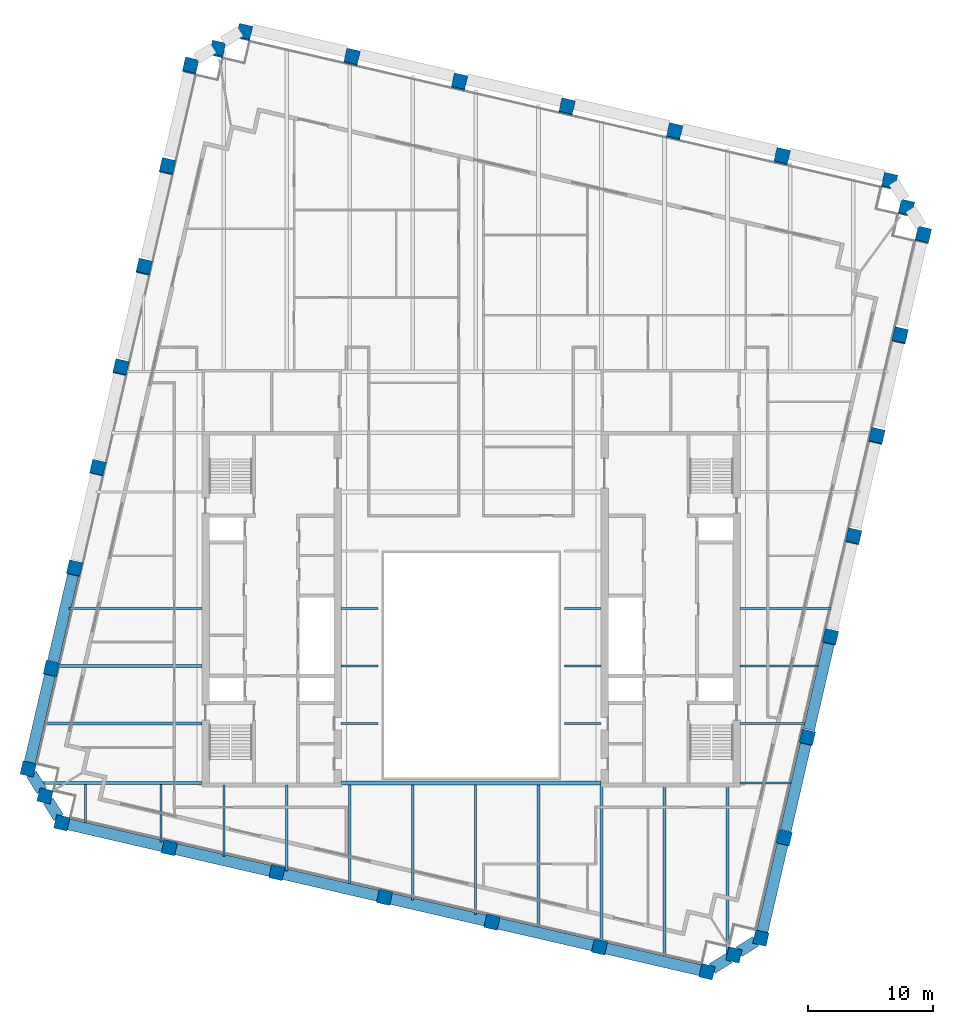
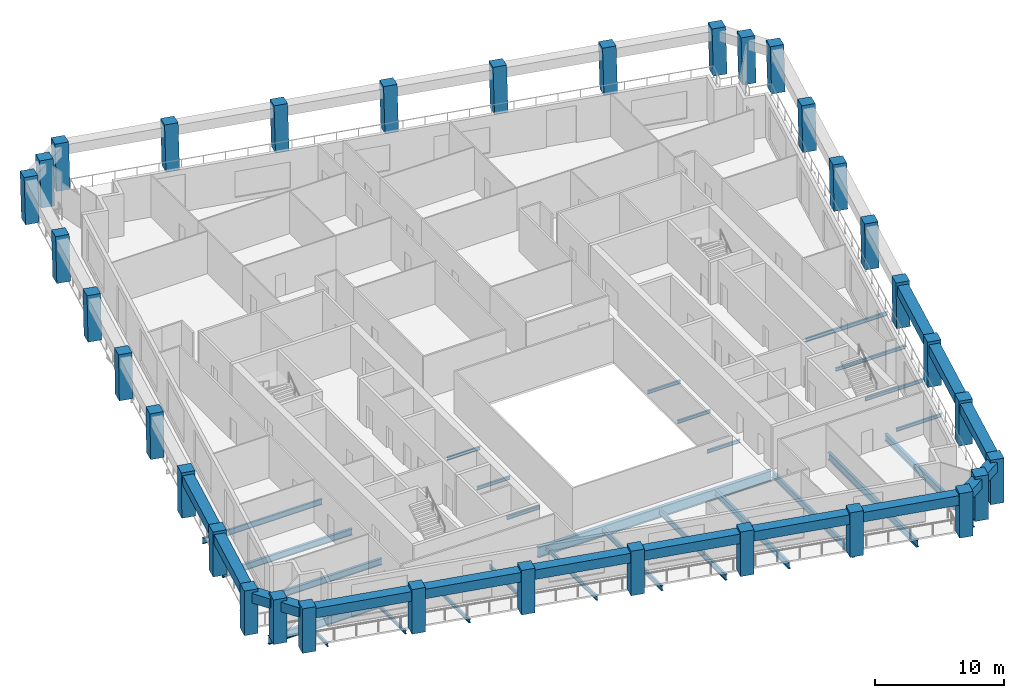
# One storey, part 1 of 10: 41 beams, 34 columns.
"""IFC4 building model written with IfcOpenShell, lengths in metres."""

from ifc_helpers import new_model, si_unit, direction, frame, origin, origin_2d, place, context, subcontext, project, spatial, rectangle, i_section, extrude, material, material_profile, profile_set, type_object, element, save


model = new_model("IFC4")

# Units and contexts
model_context = context("Model", 3, precision=1e-05, world=origin(), true_north=direction((0.0, 1.0)))
body_context = subcontext(model_context, "Body", "Model", "MODEL_VIEW")
ifc_project = project(units=[si_unit("LENGTHUNIT", "METRE"), si_unit("AREAUNIT", "SQUARE_METRE"), si_unit("VOLUMEUNIT", "CUBIC_METRE"), si_unit("PLANEANGLEUNIT", "RADIAN"), si_unit("MASSUNIT", "GRAM", prefix="KILO")], contexts=[model_context])

# Site, building, storey
site_placement = place(None, origin())
site = spatial("IfcSite", under=ifc_project, at=site_placement, CompositionType="ELEMENT")
building_placement = place(site_placement, origin())
building = spatial("IfcBuilding", under=site, at=building_placement, Name="Ogive Exchange Tower", CompositionType="ELEMENT")
storey_placement = place(building_placement, frame((0.0, 0.0, 272.39990234375)))
storey = spatial("IfcBuildingStorey", under=building, at=storey_placement, Name="L59", CompositionType="ELEMENT", Elevation=272.39990234375)

# Columns
ifc_material_1 = material(Name="Precast concrete C70/85 (limestone faced)", Category="masonry")
ifc_material_profile_1 = material_profile(ifc_material_1, rectangle(XDim=1.10009765625, YDim=1.10009765625, at=origin_2d()), Name="1100 x 1100")
ifc_profile_set_1 = profile_set([ifc_material_profile_1], Name="Precast concrete C70/85 (limestone faced)")
column_type = type_object("IfcColumnType", Name="Precast exoskeleton leg 1100 x 1100 C70/85", PredefinedType="COLUMN", material=ifc_profile_set_1)
for number, where, z_axis, x_axis, name in (
    (1, (-32.820556640625, -5.635498046875, 0.0), (0.0, 0.0, 1.0), (0.974370064785, -0.224951054344, 0.0), "Exoskeleton leg 1"),
    (2, (-24.197265625, -7.62646484375, 0.0), (0.0, 0.0, 1.0), (0.974370064785, -0.224951054344, 0.0), "Exoskeleton leg 2"),
    (3, (-15.57421875, -9.6171875, 0.0), (0.0, 0.0, 1.0), (0.974370064785, -0.224951054344, 0.0), "Exoskeleton leg 3"),
    (4, (-6.950927734375, -11.60791015625, 0.0), (0.0, 0.0, 1.0), (0.974370064785, -0.224951054344, 0.0), "Exoskeleton leg 4"),
    (5, (1.672119140625, -13.598876953125, 0.0), (0.0, 0.0, 1.0), (0.974370064785, -0.224951054344, 0.0), "Exoskeleton leg 5"),
    (6, (10.29541015625, -15.589599609375, 0.0), (0.0, 0.0, 1.0), (0.974370064785, -0.224951054344, 0.0), "Exoskeleton leg 6"),
    (7, (18.91845703125, -17.58056640625, 0.0), (0.0, 0.0, 1.0), (0.974370064785, -0.224951054344, 0.0), "Exoskeleton leg 7"),
    (8, (23.236083984375, -14.882568359375, 0.0), (0.0, 0.0, 1.0), (0.974370064785, -0.224951054344, 0.0), "Exoskeleton leg 8"),
):
    element("IfcColumn", number, at=place(storey_placement, frame(where, z_axis=z_axis, x_axis=x_axis)), inside=storey, type_object=column_type, Name=name, PredefinedType="COLUMN", context=body_context, shape_type="SweptSolid", body=[
        extrude(rectangle(XDim=1.10009765625, YDim=1.10009765625, at=origin_2d()), origin(), (0.0, 0.0, 1.0), 4.2001953125),
    ])
column_1_placement = place(storey_placement, frame((25.093994140625, -6.83447265625, 0.0), z_axis=(0.002964178068, 0.012612287075, 0.999916068409), x_axis=(-0.97347596985, 0.228789283237, 0.0)))
element("IfcColumn", 9, at=column_1_placement, inside=storey, type_object=column_type, Name="Exoskeleton leg 9", PredefinedType="COLUMN", context=body_context, shape_type="SweptSolid", body=[
    extrude(rectangle(XDim=1.10009765625, YDim=1.10009765625, at=origin_2d()), origin(), (0.0, 0.0, 1.0), 4.200439453125),
])
column_2_placement = place(storey_placement, frame((26.9521484375, 1.21337890625, 0.0), z_axis=(0.005868742296, 0.025334372683, 0.999661806525), x_axis=(-0.974202561131, 0.225675363932, 0.0)))
element("IfcColumn", 10, at=column_2_placement, inside=storey, type_object=column_type, Name="Exoskeleton leg 10", PredefinedType="COLUMN", context=body_context, shape_type="SweptSolid", body=[
    extrude(rectangle(XDim=1.10009765625, YDim=1.10009765625, at=origin_2d()), origin(), (0.0, 0.0, 1.0), 4.20166015625),
])
column_3_placement = place(storey_placement, frame((28.810302734375, 9.26171875, 0.0), z_axis=(0.008712317294, 0.037869539172, 0.999244711535), x_axis=(-0.974542124643, 0.224204476528, 0.0)))
element("IfcColumn", 11, at=column_3_placement, inside=storey, type_object=column_type, Name="Exoskeleton leg 11", PredefinedType="COLUMN", context=body_context, shape_type="SweptSolid", body=[
    extrude(rectangle(XDim=1.10009765625, YDim=1.10009765625, at=origin_2d()), origin(), (0.0, 0.0, 1.0), 4.203369140625),
])
column_4_placement = place(storey_placement, frame((30.668212890625, 17.3095703125, 0.0), z_axis=(0.011667590749, 0.050559559912, 0.998652891764), x_axis=(-0.974391195695, 0.224859506699, 0.0)))
element("IfcColumn", 12, at=column_4_placement, inside=storey, type_object=column_type, Name="Exoskeleton leg 12", PredefinedType="COLUMN", context=body_context, shape_type="SweptSolid", body=[
    extrude(rectangle(XDim=1.10009765625, YDim=1.10009765625, at=origin_2d()), origin(), (0.0, 0.0, 1.0), 4.205810546875),
])
column_5_placement = place(storey_placement, frame((32.5263671875, 25.357666015625, 0.0), z_axis=(0.014558999143, 0.063108330945, 0.997900483069), x_axis=(-0.97440628778, 0.224794097641, 0.0)))
element("IfcColumn", 13, at=column_5_placement, inside=storey, type_object=column_type, Name="Exoskeleton leg 13", PredefinedType="COLUMN", context=body_context, shape_type="SweptSolid", body=[
    extrude(rectangle(XDim=1.10009765625, YDim=1.10009765625, at=origin_2d()), origin(), (0.0, 0.0, 1.0), 4.208984375),
])
column_6_placement = place(storey_placement, frame((34.38427734375, 33.40576171875, 0.0), z_axis=(0.017501014434, 0.075683194872, 0.996978318976), x_axis=(-0.974290512438, 0.225295355862, 0.0)))
element("IfcColumn", 14, at=column_6_placement, inside=storey, type_object=column_type, Name="Exoskeleton leg 14", PredefinedType="COLUMN", context=body_context, shape_type="SweptSolid", body=[
    extrude(rectangle(XDim=1.10009765625, YDim=1.10009765625, at=origin_2d()), origin(), (0.0, 0.0, 1.0), 4.212890625),
])
for number, where, z_axis, x_axis, name in (
    (15, (36.242431640625, 41.45361328125, 0.0), (0.020318455144, 0.088220300968, 0.995893738748), (-0.974488096918, 0.224439187676, 0.0), "Exoskeleton leg 15"),
    (16, (33.54443359375, 45.771240234375, 0.0), (0.02037631848, 0.088220197057, 0.99589256573), (-0.97434807649, 0.225046274885, 0.0), "Exoskeleton leg 16"),
    (17, (24.92138671875, 47.76220703125, 0.0), (0.020318558874, 0.088162863718, 0.995898822987), (-0.97445585692, 0.224579123952, 0.0), "Exoskeleton leg 17"),
    (18, (16.298095703125, 49.7529296875, 0.0), (0.02037631848, 0.088220197057, 0.99589256573), (-0.97434807649, 0.225046274885, 0.0), "Exoskeleton leg 18"),
    (19, (7.6748046875, 51.74365234375, 0.0), (0.02037631848, 0.088220197057, 0.99589256573), (-0.97434807649, 0.225046274885, 0.0), "Exoskeleton leg 19"),
    (20, (-0.9482421875, 53.734619140625, 0.0), (0.02037631848, 0.088220197057, 0.99589256573), (-0.97434807649, 0.225046274885, 0.0), "Exoskeleton leg 20"),
    (21, (-9.5712890625, 55.725341796875, 0.0), (0.020318455144, 0.088220300968, 0.995893738748), (-0.974488096918, 0.224439187676, 0.0), "Exoskeleton leg 21"),
    (22, (-18.194580078125, 57.71630859375, 0.0), (0.020376422505, 0.088162759874, 0.995897649951), (-0.97431566651, 0.225186549318, 0.0), "Exoskeleton leg 22"),
    (23, (-22.51220703125, 55.018310546875, 0.0), (0.02037631848, 0.088220197057, 0.99589256573), (-0.97434807649, 0.225046274885, 0.0), "Exoskeleton leg 23"),
):
    element("IfcColumn", number, at=place(storey_placement, frame(where, z_axis=z_axis, x_axis=x_axis)), inside=storey, type_object=column_type, Name=name, PredefinedType="COLUMN", context=body_context, shape_type="SweptSolid", body=[
        extrude(rectangle(XDim=1.10009765625, YDim=1.10009765625, at=origin_2d()), origin(), (0.0, 0.0, 1.0), 4.217529296875),
    ])
column_7_placement = place(storey_placement, frame((-24.3701171875, 46.97021484375, 0.0), z_axis=(0.017443081717, 0.075683271502, 0.996979328429), x_axis=(-0.974454034257, 0.224587032398, 0.0)))
element("IfcColumn", 24, at=column_7_placement, inside=storey, type_object=column_type, Name="Exoskeleton leg 24", PredefinedType="COLUMN", context=body_context, shape_type="SweptSolid", body=[
    extrude(rectangle(XDim=1.10009765625, YDim=1.10009765625, at=origin_2d()), origin(), (0.0, 0.0, 1.0), 4.212890625),
])
column_8_placement = place(storey_placement, frame((-26.228271484375, 38.922119140625, 0.0), z_axis=(0.014558945825, 0.063166103598, 0.997896828561), x_axis=(-0.97445148511, 0.224598092528, 0.0)))
element("IfcColumn", 25, at=column_8_placement, inside=storey, type_object=column_type, Name="Exoskeleton leg 25", PredefinedType="COLUMN", context=body_context, shape_type="SweptSolid", body=[
    extrude(rectangle(XDim=1.10009765625, YDim=1.10009765625, at=origin_2d()), origin(), (0.0, 0.0, 1.0), 4.208984375),
])
column_9_placement = place(storey_placement, frame((-28.086181640625, 30.8740234375, 0.0), z_axis=(0.011667590749, 0.050559559912, 0.998652891764), x_axis=(-0.974391195695, 0.224859506699, 0.0)))
element("IfcColumn", 26, at=column_9_placement, inside=storey, type_object=column_type, Name="Exoskeleton leg 26", PredefinedType="COLUMN", context=body_context, shape_type="SweptSolid", body=[
    extrude(rectangle(XDim=1.10009765625, YDim=1.10009765625, at=origin_2d()), origin(), (0.0, 0.0, 1.0), 4.205810546875),
])
column_10_placement = place(storey_placement, frame((-29.9443359375, 22.826171875, 0.0), z_axis=(0.008770375651, 0.037927518544, 0.999242004646), x_axis=(-0.974290512438, 0.225295355862, 0.0)))
element("IfcColumn", 27, at=column_10_placement, inside=storey, type_object=column_type, Name="Exoskeleton leg 27", PredefinedType="COLUMN", context=body_context, shape_type="SweptSolid", body=[
    extrude(rectangle(XDim=1.10009765625, YDim=1.10009765625, at=origin_2d()), origin(), (0.0, 0.0, 1.0), 4.203369140625),
])
column_11_placement = place(storey_placement, frame((-31.80224609375, 14.778076171875, 0.0), z_axis=(0.005810637908, 0.02533438128, 0.999662145733), x_axis=(-0.974691740237, 0.22355315143, 0.0)))
element("IfcColumn", 28, at=column_11_placement, inside=storey, type_object=column_type, Name="Exoskeleton leg 28", PredefinedType="COLUMN", context=body_context, shape_type="SweptSolid", body=[
    extrude(rectangle(XDim=1.10009765625, YDim=1.10009765625, at=origin_2d()), origin(), (0.0, 0.0, 1.0), 4.20166015625),
])
column_12_placement = place(storey_placement, frame((-33.660400390625, 6.72998046875, 0.0), z_axis=(0.00290605529, 0.012670401066, 0.99991550432), x_axis=(-0.974691740237, 0.22355315143, 0.0)))
element("IfcColumn", 29, at=column_12_placement, inside=storey, type_object=column_type, Name="Exoskeleton leg 29", PredefinedType="COLUMN", context=body_context, shape_type="SweptSolid", body=[
    extrude(rectangle(XDim=1.10009765625, YDim=1.10009765625, at=origin_2d()), origin(), (0.0, 0.0, 1.0), 4.200439453125),
])
for number, where, z_axis, x_axis, name in (
    (30, (-35.518310546875, -1.318115234375, 0.0), (0.0, 0.0, 1.0), (0.974370064785, -0.224951054344, 0.0), "Exoskeleton leg 30"),
    (31, (21.077392578125, -16.2314453125, 0.0), (0.0, 0.0, 1.0), (0.974370064785, -0.224951054344, 0.0), "Exoskeleton leg 31"),
):
    element("IfcColumn", number, at=place(storey_placement, frame(where, z_axis=z_axis, x_axis=x_axis)), inside=storey, type_object=column_type, Name=name, PredefinedType="COLUMN", context=body_context, shape_type="SweptSolid", body=[
        extrude(rectangle(XDim=1.10009765625, YDim=1.10009765625, at=origin_2d()), origin(), (0.0, 0.0, 1.0), 4.2001953125),
    ])
for number, where, z_axis, x_axis, name in (
    (32, (34.893310546875, 43.612548828125, 0.0), (0.02037631848, 0.088220197057, 0.99589256573), (-0.97434807649, 0.225046274885, 0.0), "Exoskeleton leg 32"),
    (33, (-20.353515625, 56.3671875, 0.0), (0.02037631848, 0.088220197057, 0.99589256573), (-0.97434807649, 0.225046274885, 0.0), "Exoskeleton leg 33"),
):
    element("IfcColumn", number, at=place(storey_placement, frame(where, z_axis=z_axis, x_axis=x_axis)), inside=storey, type_object=column_type, Name=name, PredefinedType="COLUMN", context=body_context, shape_type="SweptSolid", body=[
        extrude(rectangle(XDim=1.10009765625, YDim=1.10009765625, at=origin_2d()), origin(), (0.0, 0.0, 1.0), 4.217529296875),
    ])
column_13_placement = place(storey_placement, frame((-34.16943359375, -3.476806640625, 0.0), z_axis=(0.0, 0.0, 1.0), x_axis=(0.974370064785, -0.224951054344, 0.0)))
element("IfcColumn", 34, at=column_13_placement, inside=storey, type_object=column_type, Name="Exoskeleton leg 34", PredefinedType="COLUMN", context=body_context, shape_type="SweptSolid", body=[
    extrude(rectangle(XDim=1.10009765625, YDim=1.10009765625, at=origin_2d()), origin(), (0.0, 0.0, 1.0), 4.2001953125),
])

# Beams
ifc_material_2 = material(Name="Steel ASTM A992 Gr50", Category="steel")
ifc_material_profile_2 = material_profile(ifc_material_2, i_section(OverallWidth=0.1650390625, OverallDepth=0.31005859375, WebThickness=0.005859375, FlangeThickness=0.009765625, at=origin_2d()), Name="W310x38.7")
ifc_profile_set_2 = profile_set([ifc_material_profile_2], Name="Steel ASTM A992 Gr50")
beam_type_1 = type_object("IfcBeamType", Name="Floor beam W310x38.7", PredefinedType="JOIST", material=ifc_profile_set_2)
for number, where, z_axis, x_axis, name in (
    (35, (-10.419921875, 2.3212890625, -0.35498046875), (1.0, 0.0, 0.0), (0.0, 1.0, 0.0), "Floor beam"),
    (36, (7.469970703125, 2.3212890625, -0.35498046875), (1.0, 0.0, 0.0), (0.0, 1.0, 0.0), "Floor beam"),
):
    element("IfcBeam", number, at=place(storey_placement, frame(where, z_axis=z_axis, x_axis=x_axis)), inside=storey, type_object=beam_type_1, Name=name, PredefinedType="JOIST", context=body_context, shape_type="SweptSolid", body=[
        extrude(i_section(OverallWidth=0.1650390625, OverallDepth=0.31005859375, WebThickness=0.005859375, FlangeThickness=0.009765625, at=origin_2d()), origin(), (0.0, 0.0, 1.0), 2.949951171875),
    ])
beam_1_placement = place(storey_placement, frame((21.580078125, 2.3212890625, -0.35498046875), z_axis=(1.0, 0.0, 0.0), x_axis=(0.0, 1.0, 0.0)))
element("IfcBeam", 37, at=beam_1_placement, inside=storey, type_object=beam_type_1, Name="Floor beam", PredefinedType="JOIST", context=body_context, shape_type="SweptSolid", body=[
    extrude(i_section(OverallWidth=0.1650390625, OverallDepth=0.31005859375, WebThickness=0.005859375, FlangeThickness=0.009765625, at=origin_2d()), origin(), (0.0, 0.0, 1.0), 5.166015625),
])
for number, where, z_axis, x_axis, name in (
    (38, (-10.419921875, 6.9326171875, -0.35498046875), (1.0, 0.0, 0.0), (0.0, 1.0, 0.0), "Floor beam"),
    (39, (7.469970703125, 6.9326171875, -0.35498046875), (1.0, 0.0, 0.0), (0.0, 1.0, 0.0), "Floor beam"),
):
    element("IfcBeam", number, at=place(storey_placement, frame(where, z_axis=z_axis, x_axis=x_axis)), inside=storey, type_object=beam_type_1, Name=name, PredefinedType="JOIST", context=body_context, shape_type="SweptSolid", body=[
        extrude(i_section(OverallWidth=0.1650390625, OverallDepth=0.31005859375, WebThickness=0.005859375, FlangeThickness=0.009765625, at=origin_2d()), origin(), (0.0, 0.0, 1.0), 2.949951171875),
    ])
beam_2_placement = place(storey_placement, frame((21.580078125, 6.9326171875, -0.35498046875), z_axis=(1.0, 0.0, 0.0), x_axis=(0.0, 1.0, 0.0)))
element("IfcBeam", 40, at=beam_2_placement, inside=storey, type_object=beam_type_1, Name="Floor beam", PredefinedType="JOIST", context=body_context, shape_type="SweptSolid", body=[
    extrude(i_section(OverallWidth=0.1650390625, OverallDepth=0.31005859375, WebThickness=0.005859375, FlangeThickness=0.009765625, at=origin_2d()), origin(), (0.0, 0.0, 1.0), 6.230712890625),
])
for number, where, z_axis, x_axis, name in (
    (41, (-10.419921875, 11.543701171875, -0.35498046875), (1.0, 0.0, 0.0), (0.0, 1.0, 0.0), "Floor beam"),
    (42, (7.469970703125, 11.543701171875, -0.35498046875), (1.0, 0.0, 0.0), (0.0, 1.0, 0.0), "Floor beam"),
):
    element("IfcBeam", number, at=place(storey_placement, frame(where, z_axis=z_axis, x_axis=x_axis)), inside=storey, type_object=beam_type_1, Name=name, PredefinedType="JOIST", context=body_context, shape_type="SweptSolid", body=[
        extrude(i_section(OverallWidth=0.1650390625, OverallDepth=0.31005859375, WebThickness=0.005859375, FlangeThickness=0.009765625, at=origin_2d()), origin(), (0.0, 0.0, 1.0), 2.949951171875),
    ])
beam_3_placement = place(storey_placement, frame((-30.93017578125, -5.610107421875, -0.35498046875), z_axis=(0.0, 1.0, 0.0), x_axis=(-1.0, 0.0, 0.0)))
element("IfcBeam", 43, at=beam_3_placement, inside=storey, type_object=beam_type_1, Name="Floor beam", PredefinedType="JOIST", context=body_context, shape_type="SweptSolid", body=[
    extrude(i_section(OverallWidth=0.1650390625, OverallDepth=0.31005859375, WebThickness=0.005859375, FlangeThickness=0.009765625, at=origin_2d()), origin(), (0.0, 0.0, 1.0), 3.031494140625),
])
beam_4_placement = place(storey_placement, frame((-24.88134765625, -7.156494140625, -0.35498046875), z_axis=(0.0, 1.0, 0.0), x_axis=(-1.0, 0.0, 0.0)))
element("IfcBeam", 44, at=beam_4_placement, inside=storey, type_object=beam_type_1, Name="Floor beam", PredefinedType="JOIST", context=body_context, shape_type="SweptSolid", body=[
    extrude(i_section(OverallWidth=0.1650390625, OverallDepth=0.31005859375, WebThickness=0.005859375, FlangeThickness=0.009765625, at=origin_2d()), origin(), (0.0, 0.0, 1.0), 4.577880859375),
])
beam_5_placement = place(storey_placement, frame((-19.832763671875, -8.322265625, -0.35498046875), z_axis=(0.0, 1.0, 0.0), x_axis=(-1.0, 0.0, 0.0)))
element("IfcBeam", 45, at=beam_5_placement, inside=storey, type_object=beam_type_1, Name="Floor beam", PredefinedType="JOIST", context=body_context, shape_type="SweptSolid", body=[
    extrude(i_section(OverallWidth=0.1650390625, OverallDepth=0.31005859375, WebThickness=0.005859375, FlangeThickness=0.009765625, at=origin_2d()), origin(), (0.0, 0.0, 1.0), 5.72216796875),
])
ifc_material_profile_3 = material_profile(ifc_material_2, i_section(OverallWidth=0.1708984375, OverallDepth=0.35595703125, WebThickness=0.00732421875, FlangeThickness=0.01171875, at=origin_2d()), Name="W360x51")
ifc_profile_set_3 = profile_set([ifc_material_profile_3], Name="Steel ASTM A992 Gr50")
beam_type_2 = type_object("IfcBeamType", Name="Floor beam W360x51", PredefinedType="JOIST", material=ifc_profile_set_3)
beam_6_placement = place(storey_placement, frame((21.580078125, 11.543701171875, -0.3779296875), z_axis=(1.0, 0.0, 0.0), x_axis=(0.0, 1.0, 0.0)))
element("IfcBeam", 46, at=beam_6_placement, inside=storey, type_object=beam_type_2, Name="Floor beam", PredefinedType="JOIST", context=body_context, shape_type="SweptSolid", body=[
    extrude(i_section(OverallWidth=0.1708984375, OverallDepth=0.35595703125, WebThickness=0.00732421875, FlangeThickness=0.01171875, at=origin_2d()), origin(), (0.0, 0.0, 1.0), 7.295166015625),
])
beam_7_placement = place(storey_placement, frame((-14.783935546875, -9.48779296875, -0.3779296875), z_axis=(0.0, 1.0, 0.0), x_axis=(-1.0, 0.0, 0.0)))
element("IfcBeam", 47, at=beam_7_placement, inside=storey, type_object=beam_type_2, Name="Floor beam", PredefinedType="JOIST", context=body_context, shape_type="SweptSolid", body=[
    extrude(i_section(OverallWidth=0.1708984375, OverallDepth=0.35595703125, WebThickness=0.00732421875, FlangeThickness=0.01171875, at=origin_2d()), origin(), (0.0, 0.0, 1.0), 6.8876953125),
])
ifc_material_profile_4 = material_profile(ifc_material_2, i_section(OverallWidth=0.177978515625, OverallDepth=0.406005859375, WebThickness=0.0078125, FlangeThickness=0.0126953125, at=origin_2d()), Name="W410x60")
ifc_profile_set_4 = profile_set([ifc_material_profile_4], Name="Steel ASTM A992 Gr50")
beam_type_3 = type_object("IfcBeamType", Name="Floor beam W410x60", PredefinedType="JOIST", material=ifc_profile_set_4)
beam_8_placement = place(storey_placement, frame((-9.7353515625, -10.50341796875, -0.40283203125), z_axis=(0.0, 1.0, 0.0), x_axis=(-1.0, 0.0, 0.0)))
element("IfcBeam", 48, at=beam_8_placement, inside=storey, type_object=beam_type_3, Name="Floor beam", PredefinedType="JOIST", context=body_context, shape_type="SweptSolid", body=[
    extrude(i_section(OverallWidth=0.177978515625, OverallDepth=0.406005859375, WebThickness=0.0078125, FlangeThickness=0.0126953125, at=origin_2d()), origin(), (0.0, 0.0, 1.0), 7.908447265625),
])
ifc_material_profile_5 = material_profile(ifc_material_2, i_section(OverallWidth=0.19091796875, OverallDepth=0.45703125, WebThickness=0.009033203125, FlangeThickness=0.014404296875, at=origin_2d()), Name="W460x74")
ifc_profile_set_5 = profile_set([ifc_material_profile_5], Name="Steel ASTM A992 Gr50")
beam_type_4 = type_object("IfcBeamType", Name="Floor beam W460x74", PredefinedType="JOIST", material=ifc_profile_set_5)
beam_9_placement = place(storey_placement, frame((-4.686767578125, -11.819091796875, -0.428466796875), z_axis=(0.0, 1.0, 0.0), x_axis=(-1.0, 0.0, 0.0)))
element("IfcBeam", 49, at=beam_9_placement, inside=storey, type_object=beam_type_4, Name="Floor beam", PredefinedType="JOIST", context=body_context, shape_type="SweptSolid", body=[
    extrude(i_section(OverallWidth=0.19091796875, OverallDepth=0.45703125, WebThickness=0.009033203125, FlangeThickness=0.014404296875, at=origin_2d()), origin(), (0.0, 0.0, 1.0), 9.22412109375),
])
ifc_material_profile_6 = material_profile(ifc_material_2, i_section(OverallWidth=0.1669921875, OverallDepth=0.535888671875, WebThickness=0.01025390625, FlangeThickness=0.0166015625, at=origin_2d()), Name="W530x85")
ifc_profile_set_6 = profile_set([ifc_material_profile_6], Name="Steel ASTM A992 Gr50")
beam_type_5 = type_object("IfcBeamType", Name="Floor beam W530x85", PredefinedType="JOIST", material=ifc_profile_set_6)
beam_10_placement = place(storey_placement, frame((-32.2373046875, 11.543701171875, -0.468017578125), z_axis=(1.0, 0.0, 0.0), x_axis=(0.0, 1.0, 0.0)))
element("IfcBeam", 50, at=beam_10_placement, inside=storey, type_object=beam_type_5, Name="Floor beam", PredefinedType="JOIST", context=body_context, shape_type="SweptSolid", body=[
    extrude(i_section(OverallWidth=0.1669921875, OverallDepth=0.535888671875, WebThickness=0.01025390625, FlangeThickness=0.0166015625, at=origin_2d()), origin(), (0.0, 0.0, 1.0), 10.6572265625),
])
beam_11_placement = place(storey_placement, frame((0.362060546875, -12.984619140625, -0.468017578125), z_axis=(0.0, 1.0, 0.0), x_axis=(-1.0, 0.0, 0.0)))
element("IfcBeam", 51, at=beam_11_placement, inside=storey, type_object=beam_type_5, Name="Floor beam", PredefinedType="JOIST", context=body_context, shape_type="SweptSolid", body=[
    extrude(i_section(OverallWidth=0.1669921875, OverallDepth=0.535888671875, WebThickness=0.01025390625, FlangeThickness=0.0166015625, at=origin_2d()), origin(), (0.0, 0.0, 1.0), 10.3896484375),
])
ifc_material_profile_7 = material_profile(ifc_material_2, i_section(OverallWidth=0.22802734375, OverallDepth=0.60205078125, WebThickness=0.010498046875, FlangeThickness=0.014892578125, at=origin_2d()), Name="W610x101")
ifc_profile_set_7 = profile_set([ifc_material_profile_7], Name="Steel ASTM A992 Gr50")
beam_type_6 = type_object("IfcBeamType", Name="Floor beam W610x101", PredefinedType="JOIST", material=ifc_profile_set_7)
beam_12_placement = place(storey_placement, frame((-34.21630859375, 2.3212890625, -0.5009765625), z_axis=(1.0, 0.0, 0.0), x_axis=(0.0, 1.0, 0.0)))
element("IfcBeam", 52, at=beam_12_placement, inside=storey, type_object=beam_type_6, Name="Floor beam", PredefinedType="JOIST", context=body_context, shape_type="SweptSolid", body=[
    extrude(i_section(OverallWidth=0.22802734375, OverallDepth=0.60205078125, WebThickness=0.010498046875, FlangeThickness=0.014892578125, at=origin_2d()), origin(), (0.0, 0.0, 1.0), 12.63623046875),
])
beam_13_placement = place(storey_placement, frame((-33.15185546875, 6.9326171875, -0.5009765625), z_axis=(1.0, 0.0, 0.0), x_axis=(0.0, 1.0, 0.0)))
element("IfcBeam", 53, at=beam_13_placement, inside=storey, type_object=beam_type_6, Name="Floor beam", PredefinedType="JOIST", context=body_context, shape_type="SweptSolid", body=[
    extrude(i_section(OverallWidth=0.22802734375, OverallDepth=0.60205078125, WebThickness=0.010498046875, FlangeThickness=0.014892578125, at=origin_2d()), origin(), (0.0, 0.0, 1.0), 11.57177734375),
])
beam_14_placement = place(storey_placement, frame((5.41064453125, -14.0, -0.5009765625), z_axis=(0.0, 1.0, 0.0), x_axis=(-1.0, 0.0, 0.0)))
element("IfcBeam", 54, at=beam_14_placement, inside=storey, type_object=beam_type_6, Name="Floor beam", PredefinedType="JOIST", context=body_context, shape_type="SweptSolid", body=[
    extrude(i_section(OverallWidth=0.22802734375, OverallDepth=0.60205078125, WebThickness=0.010498046875, FlangeThickness=0.014892578125, at=origin_2d()), origin(), (0.0, 0.0, 1.0), 11.405029296875),
])
beam_15_placement = place(storey_placement, frame((10.459228515625, -15.165771484375, -0.5009765625), z_axis=(0.0, 1.0, 0.0), x_axis=(-1.0, 0.0, 0.0)))
element("IfcBeam", 55, at=beam_15_placement, inside=storey, type_object=beam_type_6, Name="Floor beam", PredefinedType="JOIST", context=body_context, shape_type="SweptSolid", body=[
    extrude(i_section(OverallWidth=0.22802734375, OverallDepth=0.60205078125, WebThickness=0.010498046875, FlangeThickness=0.014892578125, at=origin_2d()), origin(), (0.0, 0.0, 1.0), 12.565673828125),
])
ifc_material_profile_8 = material_profile(ifc_material_2, i_section(OverallWidth=0.25390625, OverallDepth=0.677978515625, WebThickness=0.01171875, FlangeThickness=0.016357421875, at=origin_2d()), Name="W690x125")
ifc_profile_set_8 = profile_set([ifc_material_profile_8], Name="Steel ASTM A992 Gr50")
beam_type_7 = type_object("IfcBeamType", Name="Floor beam W690x125", PredefinedType="JOIST", material=ifc_profile_set_8)
beam_16_placement = place(storey_placement, frame((15.508056640625, -16.331298828125, -0.538818359375), z_axis=(0.0, 1.0, 0.0), x_axis=(-1.0, 0.0, 0.0)))
element("IfcBeam", 56, at=beam_16_placement, inside=storey, type_object=beam_type_7, Name="Floor beam", PredefinedType="JOIST", context=body_context, shape_type="SweptSolid", body=[
    extrude(i_section(OverallWidth=0.25390625, OverallDepth=0.677978515625, WebThickness=0.01171875, FlangeThickness=0.016357421875, at=origin_2d()), origin(), (0.0, 0.0, 1.0), 13.731201171875),
])
beam_17_placement = place(storey_placement, frame((20.556640625, -16.19189453125, -0.538818359375), z_axis=(0.0, 1.0, 0.0), x_axis=(-1.0, 0.0, 0.0)))
element("IfcBeam", 57, at=beam_17_placement, inside=storey, type_object=beam_type_7, Name="Floor beam", PredefinedType="JOIST", context=body_context, shape_type="SweptSolid", body=[
    extrude(i_section(OverallWidth=0.25390625, OverallDepth=0.677978515625, WebThickness=0.01171875, FlangeThickness=0.016357421875, at=origin_2d()), origin(), (0.0, 0.0, 1.0), 13.591796875),
])
ifc_material_profile_9 = material_profile(ifc_material_2, i_section(OverallWidth=0.300048828125, OverallDepth=0.97998046875, WebThickness=0.0166015625, FlangeThickness=0.026123046875, at=origin_2d()), Name="W1000x249")
ifc_profile_set_9 = profile_set([ifc_material_profile_9], Name="Steel ASTM A992 Gr50")
beam_type_8 = type_object("IfcBeamType", Name="Girder W1000x249", PredefinedType="BEAM", material=ifc_profile_set_9)
beam_18_placement = place(storey_placement, frame((-10.419921875, -2.445068359375, -0.68994140625), z_axis=(1.0, 0.0, 0.0), x_axis=(0.0, 1.0, 0.0)))
element("IfcBeam", 58, at=beam_18_placement, inside=storey, type_object=beam_type_8, Name="Header girder", PredefinedType="BEAM", context=body_context, shape_type="SweptSolid", body=[
    extrude(i_section(OverallWidth=0.300048828125, OverallDepth=0.97998046875, WebThickness=0.0166015625, FlangeThickness=0.026123046875, at=origin_2d()), origin(), (0.0, 0.0, 1.0), 20.83984375),
])
ifc_material_profile_10 = material_profile(ifc_material_2, i_section(OverallWidth=0.1650390625, OverallDepth=0.31005859375, WebThickness=0.005859375, FlangeThickness=0.009765625, at=origin_2d()), Name="W310x38.7")
ifc_profile_set_10 = profile_set([ifc_material_profile_10], Name="Steel ASTM A992 Gr50")
beam_type_9 = type_object("IfcBeamType", Name="Girder W310x38.7", PredefinedType="BEAM", material=ifc_profile_set_10)
beam_19_placement = place(storey_placement, frame((21.580078125, -2.445068359375, -0.35498046875), z_axis=(1.0, 0.0, 0.0), x_axis=(0.0, 1.0, 0.0)))
element("IfcBeam", 59, at=beam_19_placement, inside=storey, type_object=beam_type_9, Name="Header girder", PredefinedType="BEAM", context=body_context, shape_type="SweptSolid", body=[
    extrude(i_section(OverallWidth=0.1650390625, OverallDepth=0.31005859375, WebThickness=0.005859375, FlangeThickness=0.009765625, at=origin_2d()), origin(), (0.0, 0.0, 1.0), 4.065673828125),
])
ifc_material_profile_11 = material_profile(ifc_material_2, i_section(OverallWidth=0.26708984375, OverallDepth=0.75390625, WebThickness=0.01318359375, FlangeThickness=0.01708984375, at=origin_2d()), Name="W760x147")
ifc_profile_set_11 = profile_set([ifc_material_profile_11], Name="Steel ASTM A992 Gr50")
beam_type_10 = type_object("IfcBeamType", Name="Girder W760x147", PredefinedType="BEAM", material=ifc_profile_set_11)
beam_20_placement = place(storey_placement, frame((-34.43359375, -2.445068359375, -0.576904296875), z_axis=(1.0, 0.0, 0.0), x_axis=(0.0, 1.0, 0.0)))
element("IfcBeam", 60, at=beam_20_placement, inside=storey, type_object=beam_type_10, Name="Header girder", PredefinedType="BEAM", context=body_context, shape_type="SweptSolid", body=[
    extrude(i_section(OverallWidth=0.26708984375, OverallDepth=0.75390625, WebThickness=0.01318359375, FlangeThickness=0.01708984375, at=origin_2d()), origin(), (0.0, 0.0, 1.0), 12.853515625),
])
ifc_material_profile_12 = material_profile(ifc_material_1, rectangle(XDim=0.89990234375, YDim=0.89990234375, at=origin_2d()), Name="900 x 900")
ifc_profile_set_12 = profile_set([ifc_material_profile_12], Name="Precast concrete C70/85 (limestone faced)")
beam_type_11 = type_object("IfcBeamType", Name="Precast spandrel 900 x 900 C70/85", PredefinedType="SPANDREL", material=ifc_profile_set_12)
for number, where, z_axis, x_axis, name in (
    (61, (-32.30419921875, -5.7548828125, 3.5), (0.974374818602, -0.224930462307, 0.0), (0.224930462307, 0.974374818602, 0.0), "Spandrel 1"),
    (62, (-23.680908203125, -7.74560546875, 3.5), (0.974367949416, -0.224960216819, 0.0), (0.224960216819, 0.974367949416, 0.0), "Spandrel 2"),
    (63, (-15.0576171875, -9.736328125, 3.5), (0.974367949416, -0.224960216819, 0.0), (0.224960216819, 0.974367949416, 0.0), "Spandrel 3"),
    (64, (-6.4345703125, -11.727294921875, 3.5), (0.974374818602, -0.224930462307, 0.0), (0.224930462307, 0.974374818602, 0.0), "Spandrel 4"),
):
    element("IfcBeam", number, at=place(storey_placement, frame(where, z_axis=z_axis, x_axis=x_axis)), inside=storey, type_object=beam_type_11, Name=name, PredefinedType="SPANDREL", context=body_context, shape_type="SweptSolid", body=[
        extrude(rectangle(XDim=0.89990234375, YDim=0.89990234375, at=origin_2d()), origin(), (0.0, 0.0, 1.0), 7.7900390625),
    ])
beam_21_placement = place(storey_placement, frame((2.188720703125, -13.718017578125, 3.5), z_axis=(0.974366363305, -0.224967086616, 0.0), x_axis=(0.224967086616, 0.974366363305, 0.0)))
element("IfcBeam", 65, at=beam_21_placement, inside=storey, type_object=beam_type_11, Name="Spandrel 5", PredefinedType="SPANDREL", context=body_context, shape_type="SweptSolid", body=[
    extrude(rectangle(XDim=0.89990234375, YDim=0.89990234375, at=origin_2d()), origin(), (0.0, 0.0, 1.0), 7.789794921875),
])
beam_22_placement = place(storey_placement, frame((10.811767578125, -15.708984375, 3.5), z_axis=(0.974374818602, -0.224930462307, 0.0), x_axis=(0.224930462307, 0.974374818602, 0.0)))
element("IfcBeam", 66, at=beam_22_placement, inside=storey, type_object=beam_type_11, Name="Spandrel 6", PredefinedType="SPANDREL", context=body_context, shape_type="SweptSolid", body=[
    extrude(rectangle(XDim=0.89990234375, YDim=0.89990234375, at=origin_2d()), origin(), (0.0, 0.0, 1.0), 7.7900390625),
])
for number, where, z_axis, x_axis, name in (
    (67, (19.32373046875, -17.327392578125, 3.5), (0.84798967817, 0.53001274109, 0.0), (-0.53001274109, 0.84798967817, 0.0), "Spandrel 7"),
    (68, (21.482421875, -15.978271484375, 3.5), (0.848058683477, 0.529902320601, 0.0), (-0.529902320601, 0.848058683477, 0.0), "Spandrel 8"),
):
    element("IfcBeam", number, at=place(storey_placement, frame(where, z_axis=z_axis, x_axis=x_axis)), inside=storey, type_object=beam_type_11, Name=name, PredefinedType="SPANDREL", context=body_context, shape_type="SweptSolid", body=[
        extrude(rectangle(XDim=0.89990234375, YDim=0.89990234375, at=origin_2d()), origin(), (0.0, 0.0, 1.0), 1.590087890625),
    ])
for number, where, z_axis, x_axis, name in (
    (69, (23.355224609375, -14.3662109375, 3.5), (0.224979942505, 0.974363394977, 0.0), (-0.974363394977, 0.224979942505, 0.0), "Spandrel 9"),
    (70, (25.2255859375, -6.264892578125, 3.5), (0.224947991153, 0.974370771973, 0.0), (-0.974370771973, 0.224947991153, 0.0), "Spandrel 10"),
    (71, (27.095947265625, 1.836181640625, 3.5), (0.224947991153, 0.974370771973, 0.0), (-0.974370771973, 0.224947991153, 0.0), "Spandrel 11"),
    (72, (-31.89697265625, 14.367919921875, 3.5), (-0.224947991153, -0.974370771973, 0.0), (0.974370771973, -0.224947991153, 0.0), "Spandrel 31"),
):
    element("IfcBeam", number, at=place(storey_placement, frame(where, z_axis=z_axis, x_axis=x_axis)), inside=storey, type_object=beam_type_11, Name=name, PredefinedType="SPANDREL", context=body_context, shape_type="SweptSolid", body=[
        extrude(rectangle(XDim=0.89990234375, YDim=0.89990234375, at=origin_2d()), origin(), (0.0, 0.0, 1.0), 7.25439453125),
    ])
beam_23_placement = place(storey_placement, frame((-33.767333984375, 6.2666015625, 3.5), z_axis=(-0.224955367918, -0.974369068908, 0.0), x_axis=(0.974369068908, -0.224955367918, 0.0)))
element("IfcBeam", 73, at=beam_23_placement, inside=storey, type_object=beam_type_11, Name="Spandrel 32", PredefinedType="SPANDREL", context=body_context, shape_type="SweptSolid", body=[
    extrude(rectangle(XDim=0.89990234375, YDim=0.89990234375, at=origin_2d()), origin(), (0.0, 0.0, 1.0), 7.254150390625),
])
for number, where, z_axis, x_axis, name in (
    (74, (-35.26513671875, -1.72314453125, 3.5), (0.529902320601, -0.848058683477, 0.0), (0.848058683477, 0.529902320601, 0.0), "Spandrel 33"),
    (75, (-33.916259765625, -3.882080078125, 3.5), (0.529902320601, -0.848058683477, 0.0), (0.848058683477, 0.529902320601, 0.0), "Spandrel 34"),
):
    element("IfcBeam", number, at=place(storey_placement, frame(where, z_axis=z_axis, x_axis=x_axis)), inside=storey, type_object=beam_type_11, Name=name, PredefinedType="SPANDREL", context=body_context, shape_type="SweptSolid", body=[
        extrude(rectangle(XDim=0.89990234375, YDim=0.89990234375, at=origin_2d()), origin(), (0.0, 0.0, 1.0), 1.590087890625),
    ])

save(model, "model.ifc")
